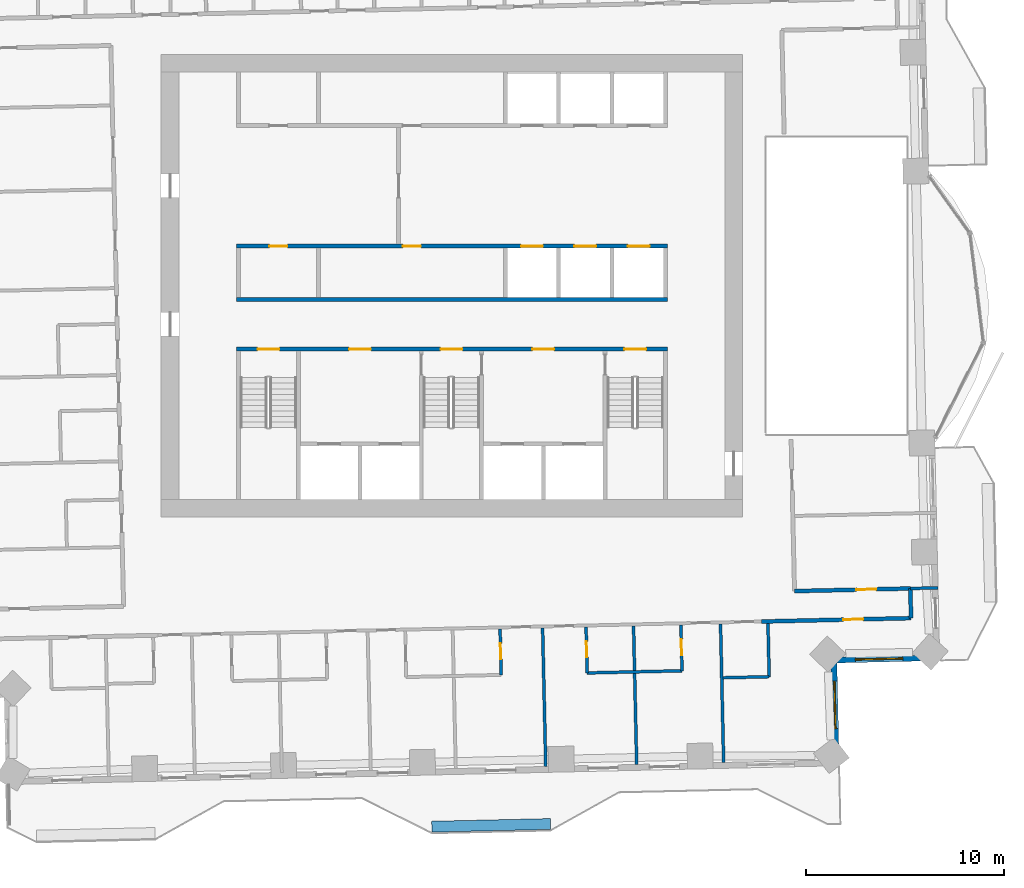
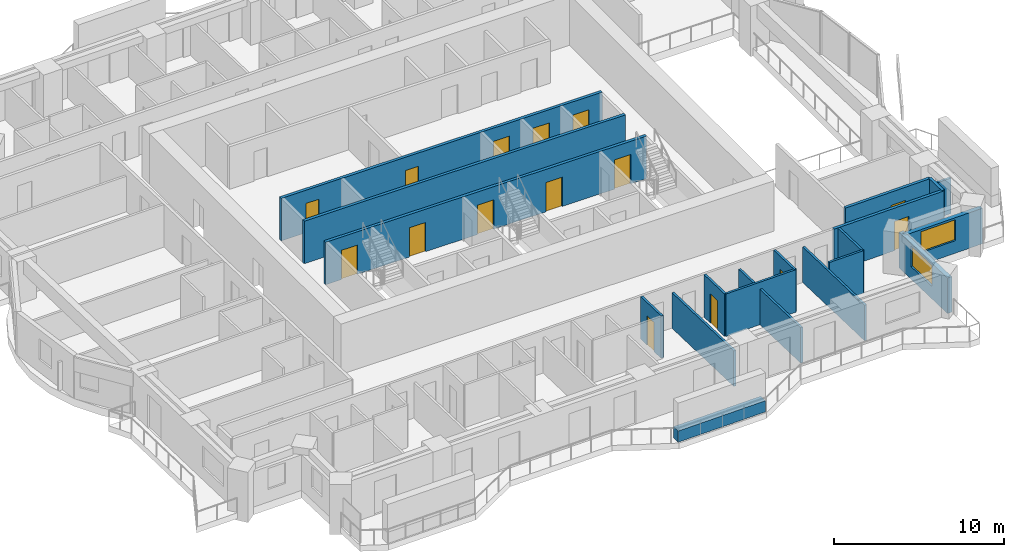
# One storey, part 8 of 16: 19 walls, 15 doors, 2 windows, 17 openings.
"""IFC4 building model written with IfcOpenShell, lengths in metres."""

from ifc_helpers import new_model, si_unit, direction, frame, frame_2d, origin, place, context, subcontext, project, spatial, rectangle, extrude, material, layer, layer_set, type_object, element, fill, save


model = new_model("IFC4")

# Units and contexts
model_context = context("Model", 3, precision=1e-05, world=origin(), true_north=direction((0.0, 1.0)))
body_context = subcontext(model_context, "Body", "Model", "MODEL_VIEW")
ifc_project = project(units=[si_unit("LENGTHUNIT", "METRE"), si_unit("AREAUNIT", "SQUARE_METRE"), si_unit("VOLUMEUNIT", "CUBIC_METRE"), si_unit("PLANEANGLEUNIT", "RADIAN"), si_unit("MASSUNIT", "GRAM", prefix="KILO")], contexts=[model_context])

# Site, building, storey
site_placement = place(None, origin())
site = spatial("IfcSite", under=ifc_project, at=site_placement, CompositionType="ELEMENT")
building_placement = place(site_placement, origin())
building = spatial("IfcBuilding", under=site, at=building_placement, Name="Mangrove Gate Tower", CompositionType="ELEMENT")
storey_placement = place(building_placement, frame((0.0, 0.0, 144.5)))
storey = spatial("IfcBuildingStorey", under=building, at=storey_placement, Name="L36", CompositionType="ELEMENT", Elevation=144.5)

# Wall
ifc_material_1 = material(Name="Concrete C70/85", Category="concrete")
ifc_layer_1 = layer(ifc_material_1, 0.199951171875)
ifc_layer_set_1 = layer_set([ifc_layer_1], Name="Core shaft wall 200 C70/85")
wall_type_1 = type_object("IfcWallType", Name="Core shaft wall 200 C70/85", PredefinedType="SHEAR", material=ifc_layer_set_1)
wall_1_placement = place(storey_placement, frame((-10.89990234375, -0.699951171875, 0.0), z_axis=(0.0, 0.0, 1.0), x_axis=(1.0, 0.0, 0.0)))
element("IfcWall", 1, at=wall_1_placement, inside=storey, type_object=wall_type_1, Name="WALL-L36-CORE-6", PredefinedType="SHEAR", context=body_context, shape_type="SweptSolid", body=[
    extrude(rectangle(XDim=21.7998046875, YDim=0.199951171875, at=frame_2d((10.89990234375, 0.0))), origin(), (0.0, 0.0, 1.0), 3.050048828125),
])

# Wall, openings, doors
wall_2_placement = place(storey_placement, frame((-10.89990234375, 2.0, 0.0), z_axis=(0.0, 0.0, 1.0), x_axis=(1.0, 0.0, 0.0)))
wall_2 = element("IfcWall", 2, at=wall_2_placement, inside=storey, type_object=wall_type_1, Name="WALL-L36-CORE-7", PredefinedType="SHEAR", context=body_context, shape_type="SweptSolid", body=[
    extrude(rectangle(XDim=21.7998046875, YDim=0.199951171875, at=frame_2d((10.89990234375, 0.0))), origin(), (0.0, 0.0, 1.0), 3.050048828125),
])
opening_1_placement = place(wall_2_placement, frame((14.39990234375, 0.0, 0.0)))
opening_1 = element("IfcOpeningElement", 3, at=opening_1_placement, cuts=wall_2, Name="Opening LD", PredefinedType="OPENING", context=body_context, shape_type="SweptSolid", body=[
    extrude(rectangle(XDim=1.10009765625, YDim=2.10009765625, at=frame_2d((0.550048828125, 1.050048828125))), frame((0.0, 0.10986328125, 0.0), z_axis=(0.0, -1.0, 0.0), x_axis=(1.0, 0.0, 0.0)), (0.0, 0.0, 1.0), 0.219970703125),
])
opening_2_placement = place(wall_2_placement, frame((17.10009765625, 0.0, 0.0)))
opening_2 = element("IfcOpeningElement", 4, at=opening_2_placement, cuts=wall_2, Name="Opening LD", PredefinedType="OPENING", context=body_context, shape_type="SweptSolid", body=[
    extrude(rectangle(XDim=1.10009765625, YDim=2.10009765625, at=frame_2d((0.550048828125, 1.050048828125))), frame((0.0, 0.10986328125, 0.0), z_axis=(0.0, -1.0, 0.0), x_axis=(1.0, 0.0, 0.0)), (0.0, 0.0, 1.0), 0.219970703125),
])
opening_3_placement = place(wall_2_placement, frame((19.800048828125, 0.0, 0.0)))
opening_3 = element("IfcOpeningElement", 5, at=opening_3_placement, cuts=wall_2, Name="Opening LD", PredefinedType="OPENING", context=body_context, shape_type="SweptSolid", body=[
    extrude(rectangle(XDim=1.10009765625, YDim=2.10009765625, at=frame_2d((0.550048828125, 1.050048828125))), frame((0.0, 0.10986328125, 0.0), z_axis=(0.0, -1.0, 0.0), x_axis=(1.0, 0.0, 0.0)), (0.0, 0.0, 1.0), 0.219970703125),
])
opening_4_placement = place(wall_2_placement, frame((1.675048828125, 0.0, 0.0)))
opening_4 = element("IfcOpeningElement", 6, at=opening_4_placement, cuts=wall_2, Name="Opening KD", PredefinedType="OPENING", context=body_context, shape_type="SweptSolid", body=[
    extrude(rectangle(XDim=0.89990234375, YDim=2.10009765625, at=frame_2d((0.449951171875, 1.050048828125))), frame((0.0, 0.10986328125, 0.0), z_axis=(0.0, -1.0, 0.0), x_axis=(1.0, 0.0, 0.0)), (0.0, 0.0, 1.0), 0.219970703125),
])
opening_5_placement = place(wall_2_placement, frame((8.425048828125, 0.0, 0.0)))
opening_5 = element("IfcOpeningElement", 7, at=opening_5_placement, cuts=wall_2, Name="Opening RD", PredefinedType="OPENING", context=body_context, shape_type="SweptSolid", body=[
    extrude(rectangle(XDim=0.89990234375, YDim=2.10009765625, at=frame_2d((0.449951171875, 1.050048828125))), frame((0.0, 0.10986328125, 0.0), z_axis=(0.0, -1.0, 0.0), x_axis=(1.0, 0.0, 0.0)), (0.0, 0.0, 1.0), 0.219970703125),
])
ifc_material_2 = material(Name="Fire-rated steel door set", Category="steel")
door_type_1 = type_object("IfcDoorType", Name="Core room door FD30S 900x2100", OperationType="SINGLE_SWING_RIGHT", PredefinedType="DOOR", material=ifc_material_2)
door_1_placement = place(opening_4_placement, origin())
door_1 = element("IfcDoor", 8, at=door_1_placement, inside=storey, type_object=door_type_1, Name="Core room door Refuse store", OperationType="SINGLE_SWING_RIGHT", OverallHeight=2.10009765625, OverallWidth=0.89990234375, PredefinedType="DOOR", context=body_context, shape_type="SweptSolid", body=[
    extrude(rectangle(XDim=0.89990234375, YDim=2.10009765625, at=frame_2d((0.449951171875, 1.050048828125))), frame((0.0, 0.02490234375, 0.0), z_axis=(0.0, -1.0, 0.0), x_axis=(1.0, 0.0, 0.0)), (0.0, 0.0, 1.0), 0.050048828125),
])
fill(opening_4, door_1)
ifc_material_3 = material(Name="Stainless steel 316", Category="steel")
door_type_2 = type_object("IfcDoorType", Name="Lift landing door 1100x2100", OperationType="SLIDING_TO_LEFT", PredefinedType="DOOR", material=ifc_material_3)
door_2_placement = place(opening_1_placement, origin())
door_2 = element("IfcDoor", 9, at=door_2_placement, inside=storey, type_object=door_type_2, Name="Landing door LD M01", OperationType="SLIDING_TO_LEFT", OverallHeight=2.10009765625, OverallWidth=1.10009765625, PredefinedType="DOOR", context=body_context, shape_type="SweptSolid", body=[
    extrude(rectangle(XDim=1.10009765625, YDim=2.10009765625, at=frame_2d((0.550048828125, 1.050048828125))), frame((0.0, 0.02490234375, 0.0), z_axis=(0.0, -1.0, 0.0), x_axis=(1.0, 0.0, 0.0)), (0.0, 0.0, 1.0), 0.050048828125),
])
fill(opening_1, door_2)
door_3_placement = place(opening_2_placement, origin())
door_3 = element("IfcDoor", 10, at=door_3_placement, inside=storey, type_object=door_type_2, Name="Landing door LD M02", OperationType="SLIDING_TO_LEFT", OverallHeight=2.10009765625, OverallWidth=1.10009765625, PredefinedType="DOOR", context=body_context, shape_type="SweptSolid", body=[
    extrude(rectangle(XDim=1.10009765625, YDim=2.10009765625, at=frame_2d((0.550048828125, 1.050048828125))), frame((0.0, 0.02490234375, 0.0), z_axis=(0.0, -1.0, 0.0), x_axis=(1.0, 0.0, 0.0)), (0.0, 0.0, 1.0), 0.050048828125),
])
fill(opening_2, door_3)
door_4_placement = place(opening_3_placement, origin())
door_4 = element("IfcDoor", 11, at=door_4_placement, inside=storey, type_object=door_type_2, Name="Landing door LD M03", OperationType="SLIDING_TO_LEFT", OverallHeight=2.10009765625, OverallWidth=1.10009765625, PredefinedType="DOOR", context=body_context, shape_type="SweptSolid", body=[
    extrude(rectangle(XDim=1.10009765625, YDim=2.10009765625, at=frame_2d((0.550048828125, 1.050048828125))), frame((0.0, 0.02490234375, 0.0), z_axis=(0.0, -1.0, 0.0), x_axis=(1.0, 0.0, 0.0)), (0.0, 0.0, 1.0), 0.050048828125),
])
fill(opening_3, door_4)
ifc_material_4 = material(Name="Fire-rated steel door set", Category="steel")
door_type_3 = type_object("IfcDoorType", Name="Riser door FD30S 900x2100", OperationType="SINGLE_SWING_LEFT", PredefinedType="DOOR", material=ifc_material_4)
door_5_placement = place(opening_5_placement, origin())
door_5 = element("IfcDoor", 12, at=door_5_placement, inside=storey, type_object=door_type_3, Name="Riser door Electrical room", OperationType="SINGLE_SWING_LEFT", OverallHeight=2.10009765625, OverallWidth=0.89990234375, PredefinedType="DOOR", context=body_context, shape_type="SweptSolid", body=[
    extrude(rectangle(XDim=0.89990234375, YDim=2.10009765625, at=frame_2d((0.449951171875, 1.050048828125))), frame((0.0, 0.02490234375, 0.0), z_axis=(0.0, -1.0, 0.0), x_axis=(1.0, 0.0, 0.0)), (0.0, 0.0, 1.0), 0.050048828125),
])
fill(opening_5, door_5)

ifc_material_5 = material(Name="Concrete C70/85", Category="concrete")
ifc_layer_2 = layer(ifc_material_5, 0.199951171875)
ifc_layer_set_2 = layer_set([ifc_layer_2], Name="Core stair wall 200 C70/85")
wall_type_2 = type_object("IfcWallType", Name="Core stair wall 200 C70/85", PredefinedType="SHEAR", material=ifc_layer_set_2)
wall_3_placement = place(storey_placement, frame((-10.89990234375, -3.199951171875, 0.0), z_axis=(0.0, 0.0, 1.0), x_axis=(1.0, 0.0, 0.0)))
wall_3 = element("IfcWall", 13, at=wall_3_placement, inside=storey, type_object=wall_type_2, Name="WALL-L36-CORE-5", PredefinedType="SHEAR", context=body_context, shape_type="SweptSolid", body=[
    extrude(rectangle(XDim=21.7998046875, YDim=0.199951171875, at=frame_2d((10.89990234375, 0.0))), origin(), (0.0, 0.0, 1.0), 3.050048828125),
])
opening_6_placement = place(wall_3_placement, frame((1.074951171875, 0.0, 0.0)))
opening_6 = element("IfcOpeningElement", 14, at=opening_6_placement, cuts=wall_3, Name="Opening STD11", PredefinedType="OPENING", context=body_context, shape_type="SweptSolid", body=[
    extrude(rectangle(XDim=1.10009765625, YDim=2.10009765625, at=frame_2d((0.550048828125, 1.050048828125))), frame((0.0, 0.10986328125, 0.0), z_axis=(0.0, -1.0, 0.0), x_axis=(1.0, 0.0, 0.0)), (0.0, 0.0, 1.0), 0.219970703125),
])
opening_7_placement = place(wall_3_placement, frame((10.324951171875, 0.0, 0.0)))
opening_7 = element("IfcOpeningElement", 15, at=opening_7_placement, cuts=wall_3, Name="Opening STD11", PredefinedType="OPENING", context=body_context, shape_type="SweptSolid", body=[
    extrude(rectangle(XDim=1.10009765625, YDim=2.10009765625, at=frame_2d((0.550048828125, 1.050048828125))), frame((0.0, 0.10986328125, 0.0), z_axis=(0.0, -1.0, 0.0), x_axis=(1.0, 0.0, 0.0)), (0.0, 0.0, 1.0), 0.219970703125),
])
opening_8_placement = place(wall_3_placement, frame((19.625, 0.0, 0.0)))
opening_8 = element("IfcOpeningElement", 16, at=opening_8_placement, cuts=wall_3, Name="Opening STD11", PredefinedType="OPENING", context=body_context, shape_type="SweptSolid", body=[
    extrude(rectangle(XDim=1.10009765625, YDim=2.10009765625, at=frame_2d((0.550048828125, 1.050048828125))), frame((0.0, 0.10986328125, 0.0), z_axis=(0.0, -1.0, 0.0), x_axis=(1.0, 0.0, 0.0)), (0.0, 0.0, 1.0), 0.219970703125),
])
opening_9_placement = place(wall_3_placement, frame((5.699951171875, 0.0, 0.0)))
opening_9 = element("IfcOpeningElement", 17, at=opening_9_placement, cuts=wall_3, Name="Opening FL", PredefinedType="OPENING", context=body_context, shape_type="SweptSolid", body=[
    extrude(rectangle(XDim=1.10009765625, YDim=2.10009765625, at=frame_2d((0.550048828125, 1.050048828125))), frame((0.0, 0.10986328125, 0.0), z_axis=(0.0, -1.0, 0.0), x_axis=(1.0, 0.0, 0.0)), (0.0, 0.0, 1.0), 0.219970703125),
])
opening_10_placement = place(wall_3_placement, frame((14.97509765625, 0.0, 0.0)))
opening_10 = element("IfcOpeningElement", 18, at=opening_10_placement, cuts=wall_3, Name="Opening FL", PredefinedType="OPENING", context=body_context, shape_type="SweptSolid", body=[
    extrude(rectangle(XDim=1.10009765625, YDim=2.10009765625, at=frame_2d((0.550048828125, 1.050048828125))), frame((0.0, 0.10986328125, 0.0), z_axis=(0.0, -1.0, 0.0), x_axis=(1.0, 0.0, 0.0)), (0.0, 0.0, 1.0), 0.219970703125),
])
ifc_material_6 = material(Name="Fire-rated steel door set", Category="steel")
door_type_4 = type_object("IfcDoorType", Name="Lobby door FD60 1100x2100", OperationType="SINGLE_SWING_LEFT", PredefinedType="DOOR", material=ifc_material_6)
door_6_placement = place(opening_9_placement, origin())
door_6 = element("IfcDoor", 19, at=door_6_placement, inside=storey, type_object=door_type_4, Name="Lobby door service lobby", OperationType="SINGLE_SWING_LEFT", OverallHeight=2.10009765625, OverallWidth=1.10009765625, PredefinedType="DOOR", context=body_context, shape_type="SweptSolid", body=[
    extrude(rectangle(XDim=1.10009765625, YDim=2.10009765625, at=frame_2d((0.550048828125, 1.050048828125))), frame((0.0, 0.02490234375, 0.0), z_axis=(0.0, -1.0, 0.0), x_axis=(1.0, 0.0, 0.0)), (0.0, 0.0, 1.0), 0.050048828125),
])
fill(opening_9, door_6)
door_7_placement = place(opening_10_placement, origin())
door_7 = element("IfcDoor", 20, at=door_7_placement, inside=storey, type_object=door_type_4, Name="Lobby door fire-fighting lobby", OperationType="SINGLE_SWING_LEFT", OverallHeight=2.10009765625, OverallWidth=1.10009765625, PredefinedType="DOOR", context=body_context, shape_type="SweptSolid", body=[
    extrude(rectangle(XDim=1.10009765625, YDim=2.10009765625, at=frame_2d((0.550048828125, 1.050048828125))), frame((0.0, 0.02490234375, 0.0), z_axis=(0.0, -1.0, 0.0), x_axis=(1.0, 0.0, 0.0)), (0.0, 0.0, 1.0), 0.050048828125),
])
fill(opening_10, door_7)
ifc_material_7 = material(Name="Fire-rated steel door set", Category="steel")
door_type_5 = type_object("IfcDoorType", Name="Stair door FD60 1100x2100", OperationType="SINGLE_SWING_RIGHT", PredefinedType="DOOR", material=ifc_material_7)
door_8_placement = place(opening_6_placement, origin())
door_8 = element("IfcDoor", 21, at=door_8_placement, inside=storey, type_object=door_type_5, Name="Stair door Stair 1", OperationType="SINGLE_SWING_RIGHT", OverallHeight=2.10009765625, OverallWidth=1.10009765625, PredefinedType="DOOR", context=body_context, shape_type="SweptSolid", body=[
    extrude(rectangle(XDim=1.10009765625, YDim=2.10009765625, at=frame_2d((0.550048828125, 1.050048828125))), frame((0.0, 0.02490234375, 0.0), z_axis=(0.0, -1.0, 0.0), x_axis=(1.0, 0.0, 0.0)), (0.0, 0.0, 1.0), 0.050048828125),
])
fill(opening_6, door_8)
door_9_placement = place(opening_7_placement, origin())
door_9 = element("IfcDoor", 22, at=door_9_placement, inside=storey, type_object=door_type_5, Name="Stair door Stair 2", OperationType="SINGLE_SWING_RIGHT", OverallHeight=2.10009765625, OverallWidth=1.10009765625, PredefinedType="DOOR", context=body_context, shape_type="SweptSolid", body=[
    extrude(rectangle(XDim=1.10009765625, YDim=2.10009765625, at=frame_2d((0.550048828125, 1.050048828125))), frame((0.0, 0.02490234375, 0.0), z_axis=(0.0, -1.0, 0.0), x_axis=(1.0, 0.0, 0.0)), (0.0, 0.0, 1.0), 0.050048828125),
])
fill(opening_7, door_9)
door_10_placement = place(opening_8_placement, origin())
door_10 = element("IfcDoor", 23, at=door_10_placement, inside=storey, type_object=door_type_5, Name="Stair door Stair 3", OperationType="SINGLE_SWING_RIGHT", OverallHeight=2.10009765625, OverallWidth=1.10009765625, PredefinedType="DOOR", context=body_context, shape_type="SweptSolid", body=[
    extrude(rectangle(XDim=1.10009765625, YDim=2.10009765625, at=frame_2d((0.550048828125, 1.050048828125))), frame((0.0, 0.02490234375, 0.0), z_axis=(0.0, -1.0, 0.0), x_axis=(1.0, 0.0, 0.0)), (0.0, 0.0, 1.0), 0.050048828125),
])
fill(opening_8, door_10)

# Wall
ifc_material_8 = material(Name="Gypsum board on steel stud, EI 60", Category="steel")
ifc_layer_3 = layer(ifc_material_8, 0.199951171875)
ifc_layer_set_3 = layer_set([ifc_layer_3], Name="Corridor wall EI 60")
wall_type_3 = type_object("IfcWallType", Name="Corridor wall EI 60", PredefinedType="PARTITIONING", material=ifc_layer_set_3)
wall_4_placement = place(storey_placement, frame((23.219970703125, -16.81494140625, 0.0), z_axis=(0.0, 0.0, 1.0), x_axis=(-0.022617910375, 0.999744182344, 0.0)))
element("IfcWall", 24, at=wall_4_placement, inside=storey, type_object=wall_type_3, Name="WALL-L36-025", PredefinedType="PARTITIONING", context=body_context, shape_type="SweptSolid", body=[
    extrude(rectangle(XDim=1.50048828125, YDim=0.199951171875, at=frame_2d((0.750244140625, 0.0))), origin(), (0.0, 0.0, 1.0), 3.050048828125),
])

# Wall, opening, door
wall_5_placement = place(storey_placement, frame((15.657958984375, -16.98193359375, 0.0), z_axis=(0.0, 0.0, 1.0), x_axis=(0.99974485859, 0.022587999516, 0.0)))
wall_5 = element("IfcWall", 25, at=wall_5_placement, inside=storey, type_object=wall_type_3, Name="WALL-L36-028", PredefinedType="PARTITIONING", context=body_context, shape_type="SweptSolid", body=[
    extrude(rectangle(XDim=7.56591796875, YDim=0.199951171875, at=frame_2d((3.782958984375, 0.0))), origin(), (0.0, 0.0, 1.0), 3.050048828125),
])
opening_11_placement = place(wall_5_placement, frame((4.14404296875, 0.0, 0.0)))
opening_11 = element("IfcOpeningElement", 26, at=opening_11_placement, cuts=wall_5, Name="Opening AD", PredefinedType="OPENING", context=body_context, shape_type="SweptSolid", body=[
    extrude(rectangle(XDim=1.0, YDim=2.10009765625, at=frame_2d((0.5, 1.050048828125))), frame((0.0, 0.10986328125, 0.0), z_axis=(0.0, -1.0, 0.0), x_axis=(1.0, 0.0, 0.0)), (0.0, 0.0, 1.0), 0.219970703125),
])
ifc_material_9 = material(Name="Timber door leaf", Category="wood")
door_type_6 = type_object("IfcDoorType", Name="Amenity door 1000", OperationType="SINGLE_SWING_LEFT", PredefinedType="DOOR", material=ifc_material_9)
door_11_placement = place(opening_11_placement, origin())
door_11 = element("IfcDoor", 27, at=door_11_placement, inside=storey, type_object=door_type_6, Name="DOOR-L36-GAM-c3a", OperationType="SINGLE_SWING_RIGHT", OverallHeight=2.10009765625, OverallWidth=1.0, PredefinedType="DOOR", context=body_context, shape_type="SweptSolid", body=[
    extrude(rectangle(XDim=1.0, YDim=2.10009765625, at=frame_2d((0.5, 1.050048828125))), frame((0.0, 0.02490234375, 0.0), z_axis=(0.0, -1.0, 0.0), x_axis=(1.0, 0.0, 0.0)), (0.0, 0.0, 1.0), 0.050048828125),
])
fill(opening_11, door_11)

wall_6_placement = place(storey_placement, frame((17.322998046875, -15.444091796875, 0.0), z_axis=(0.0, 0.0, 1.0), x_axis=(0.999742758565, 0.022680756085, 0.0)))
wall_6 = element("IfcWall", 28, at=wall_6_placement, inside=storey, type_object=wall_type_3, Name="WALL-L36-033", PredefinedType="PARTITIONING", context=body_context, shape_type="SweptSolid", body=[
    extrude(rectangle(XDim=5.866455078125, YDim=0.199951171875, at=frame_2d((2.93310546875, 0.0))), origin(), (0.0, 0.0, 1.0), 3.050048828125),
])
opening_12_placement = place(wall_6_placement, frame((3.134033203125, 0.0, 0.0)))
opening_12 = element("IfcOpeningElement", 29, at=opening_12_placement, cuts=wall_6, Name="Opening AD", PredefinedType="OPENING", context=body_context, shape_type="SweptSolid", body=[
    extrude(rectangle(XDim=1.0, YDim=2.10009765625, at=frame_2d((0.5, 1.050048828125))), frame((0.0, 0.10986328125, 0.0), z_axis=(0.0, -1.0, 0.0), x_axis=(1.0, 0.0, 0.0)), (0.0, 0.0, 1.0), 0.219970703125),
])
door_12_placement = place(opening_12_placement, origin())
door_12 = element("IfcDoor", 30, at=door_12_placement, inside=storey, type_object=door_type_6, Name="DOOR-L36-KIT-c3a", OperationType="SINGLE_SWING_LEFT", OverallHeight=2.10009765625, OverallWidth=1.0, PredefinedType="DOOR", context=body_context, shape_type="SweptSolid", body=[
    extrude(rectangle(XDim=1.0, YDim=2.10009765625, at=frame_2d((0.5, 1.050048828125))), frame((0.0, 0.02490234375, 0.0), z_axis=(0.0, -1.0, 0.0), x_axis=(1.0, 0.0, 0.0)), (0.0, 0.0, 1.0), 0.050048828125),
])
fill(opening_12, door_12)

# Wall, opening, window
ifc_material_10 = material(Name="Limestone", Category="masonry")
ifc_layer_4 = layer(ifc_material_10, 0.0400390625, Name="Limestone cladding")
ifc_material_11 = material(Name="Ventilated air gap")
ifc_layer_5 = layer(ifc_material_11, 0.0400390625, Name="Ventilated cavity")
ifc_material_12 = material(Name="Mineral wool insulation")
ifc_layer_6 = layer(ifc_material_12, 0.06005859375, Name="Insulation")
ifc_material_13 = material(Name="Breather membrane")
ifc_layer_7 = layer(ifc_material_13, 0.001953125, Name="Breather membrane")
ifc_material_14 = material(Name="Concrete C20/25 blockwork", Category="masonry")
ifc_layer_8 = layer(ifc_material_14, 0.14990234375, Name="Blockwork backing wall")
ifc_material_15 = material(Name="Gypsum plaster")
ifc_layer_9 = layer(ifc_material_15, 0.008056640625, Name="Internal plaster")
ifc_layer_set_4 = layer_set([ifc_layer_4, ifc_layer_5, ifc_layer_6, ifc_layer_7, ifc_layer_8, ifc_layer_9], Name="External wall 300 limestone cladding")
wall_type_4 = type_object("IfcWallType", Name="External wall 300 limestone cladding", PredefinedType="SOLIDWALL", material=ifc_layer_set_4)
wall_7_placement = place(storey_placement, frame((19.43701171875, -24.12890625, 0.0), z_axis=(0.0, 0.0, 1.0), x_axis=(-0.022565008749, 0.999745377774, 0.0)))
wall_7 = element("IfcWall", 31, at=wall_7_placement, inside=storey, type_object=wall_type_4, Name="WALL-L36-E14s1", PredefinedType="SOLIDWALL", context=body_context, shape_type="SweptSolid", body=[
    extrude(rectangle(XDim=5.496337890625, YDim=0.300048828125, at=frame_2d((2.748046875, 0.0))), origin(), (0.0, 0.0, 1.0), 2.550048828125),
])
opening_13_placement = place(wall_7_placement, frame((1.736083984375, 0.0, 0.89990234375)))
opening_13 = element("IfcOpeningElement", 32, at=opening_13_placement, cuts=wall_7, Name="Opening W2", PredefinedType="OPENING", context=body_context, shape_type="SweptSolid", body=[
    extrude(rectangle(XDim=2.39990234375, YDim=1.5, at=frame_2d((1.199951171875, 0.75))), frame((0.0, 0.159912109375, 0.0), z_axis=(0.0, -1.0, 0.0), x_axis=(1.0, 0.0, 0.0)), (0.0, 0.0, 1.0), 0.320068359375),
])
ifc_material_16 = material(Name="Aluminium frame with double-glazed low-e glass", Category="aluminium")
window_type = type_object("IfcWindowType", Name="Corner room window 2400x1500", PartitioningType="DOUBLE_PANEL_VERTICAL", PredefinedType="WINDOW", material=ifc_material_16)
window_1_placement = place(opening_13_placement, origin())
window_1 = element("IfcWindow", 33, at=window_1_placement, inside=storey, type_object=window_type, Name="WIN-L36-E14-1", OverallHeight=1.5, OverallWidth=2.39990234375, PartitioningType="DOUBLE_PANEL_VERTICAL", PredefinedType="WINDOW", context=body_context, shape_type="SweptSolid", body=[
    extrude(rectangle(XDim=2.39990234375, YDim=1.5, at=frame_2d((1.199951171875, 0.75))), frame((0.0, 0.030029296875, 0.0), z_axis=(0.0, -1.0, 0.0), x_axis=(1.0, 0.0, 0.0)), (0.0, 0.0, 1.0), 0.06005859375),
])
fill(opening_13, window_1)

wall_8_placement = place(storey_placement, frame((19.319091796875, -18.929931640625, 0.0), z_axis=(0.0, 0.0, 1.0), x_axis=(0.999742379723, 0.022697448881, 0.0)))
wall_8 = element("IfcWall", 34, at=wall_8_placement, inside=storey, type_object=wall_type_4, Name="WALL-L36-S15s1", PredefinedType="SOLIDWALL", context=body_context, shape_type="SweptSolid", body=[
    extrude(rectangle(XDim=5.324462890625, YDim=0.300048828125, at=frame_2d((2.662109375, 0.0))), origin(), (0.0, 0.0, 1.0), 2.550048828125),
])
opening_14_placement = place(wall_8_placement, frame((1.083984375, 0.0, 0.89990234375)))
opening_14 = element("IfcOpeningElement", 35, at=opening_14_placement, cuts=wall_8, Name="Opening W2", PredefinedType="OPENING", context=body_context, shape_type="SweptSolid", body=[
    extrude(rectangle(XDim=2.39990234375, YDim=1.5, at=frame_2d((1.199951171875, 0.75))), frame((0.0, 0.159912109375, 0.0), z_axis=(0.0, -1.0, 0.0), x_axis=(1.0, 0.0, 0.0)), (0.0, 0.0, 1.0), 0.320068359375),
])
window_2_placement = place(opening_14_placement, origin())
window_2 = element("IfcWindow", 36, at=window_2_placement, inside=storey, type_object=window_type, Name="WIN-L36-S15-1", OverallHeight=1.5, OverallWidth=2.39990234375, PartitioningType="DOUBLE_PANEL_VERTICAL", PredefinedType="WINDOW", context=body_context, shape_type="SweptSolid", body=[
    extrude(rectangle(XDim=2.39990234375, YDim=1.5, at=frame_2d((1.199951171875, 0.75))), frame((0.0, 0.030029296875, 0.0), z_axis=(0.0, -1.0, 0.0), x_axis=(1.0, 0.0, 0.0)), (0.0, 0.0, 1.0), 0.06005859375),
])
fill(opening_14, window_2)

# Walls
ifc_material_17 = material(Name="Gypsum board on steel stud, EI 60", Category="steel")
ifc_layer_10 = layer(ifc_material_17, 0.14990234375)
ifc_layer_set_5 = layer_set([ifc_layer_10], Name="Party wall 150 EI 60")
wall_type_5 = type_object("IfcWallType", Name="Party wall 150 EI 60", PredefinedType="PARTITIONING", material=ifc_layer_set_5)
wall_9_placement = place(storey_placement, frame((4.74609375, -24.31201171875, 0.0), z_axis=(0.0, 0.0, 1.0), x_axis=(-0.022737248567, 0.999741475346, 0.0)))
element("IfcWall", 37, at=wall_9_placement, inside=storey, type_object=wall_type_5, Name="WALL-L36-006", PredefinedType="PARTITIONING", context=body_context, shape_type="SweptSolid", body=[
    extrude(rectangle(XDim=7.000732421875, YDim=0.14990234375, at=frame_2d((3.50048828125, 0.0))), origin(), (0.0, 0.0, 1.0), 2.550048828125),
])
for number, where, z_axis, x_axis, name in (
    (38, (9.344970703125, -24.2080078125, 0.0), (0.0, 0.0, 1.0), (-0.022699227919, 0.999742339331, 0.0), "WALL-L36-007"),
    (39, (13.742919921875, -24.10791015625, 0.0), (0.0, 0.0, 1.0), (-0.02255982614, 0.999745494736, 0.0), "WALL-L36-008"),
):
    element("IfcWall", number, at=place(storey_placement, frame(where, z_axis=z_axis, x_axis=x_axis)), inside=storey, type_object=wall_type_5, Name=name, PredefinedType="PARTITIONING", context=body_context, shape_type="SweptSolid", body=[
        extrude(rectangle(XDim=7.001708984375, YDim=0.14990234375, at=frame_2d((3.5009765625, 0.0))), origin(), (0.0, 0.0, 1.0), 2.550048828125),
    ])
wall_10_placement = place(storey_placement, frame((16.0458984375, -19.778076171875, 0.0), z_axis=(0.0, 0.0, 1.0), x_axis=(-0.022518033722, 0.999746436932, 0.0)))
element("IfcWall", 40, at=wall_10_placement, inside=storey, type_object=wall_type_5, Name="WALL-L36-009", PredefinedType="PARTITIONING", context=body_context, shape_type="SweptSolid", body=[
    extrude(rectangle(XDim=2.69970703125, YDim=0.14990234375, at=frame_2d((1.349853515625, 0.0))), origin(), (0.0, 0.0, 1.0), 3.050048828125),
])
wall_11_placement = place(storey_placement, frame((13.718994140625, -19.826904296875, 0.0), z_axis=(0.0, 0.0, 1.0), x_axis=(0.999740478815, 0.022781023197, 0.0)))
element("IfcWall", 41, at=wall_11_placement, inside=storey, type_object=wall_type_5, Name="WALL-L36-010", PredefinedType="PARTITIONING", context=body_context, shape_type="SweptSolid", body=[
    extrude(rectangle(XDim=2.325439453125, YDim=0.14990234375, at=frame_2d((1.16259765625, 0.0))), origin(), (0.0, 0.0, 1.0), 3.050048828125),
])

# Wall, opening, door
wall_12_placement = place(storey_placement, frame((2.489990234375, -19.68603515625, 0.0), z_axis=(0.0, 0.0, 1.0), x_axis=(-0.022781023197, 0.999740478815, 0.0)))
wall_12 = element("IfcWall", 42, at=wall_12_placement, inside=storey, type_object=wall_type_5, Name="WALL-L36-017", PredefinedType="PARTITIONING", context=body_context, shape_type="SweptSolid", body=[
    extrude(rectangle(XDim=2.325439453125, YDim=0.14990234375, at=frame_2d((1.16259765625, 0.0))), origin(), (0.0, 0.0, 1.0), 3.050048828125),
])
opening_15_placement = place(wall_12_placement, frame((0.800048828125, 0.0, 0.0)))
opening_15 = element("IfcOpeningElement", 43, at=opening_15_placement, cuts=wall_12, Name="Opening ED", PredefinedType="OPENING", context=body_context, shape_type="SweptSolid", body=[
    extrude(rectangle(XDim=0.800048828125, YDim=2.10009765625, at=frame_2d((0.39990234375, 1.050048828125))), frame((0.0, 0.0849609375, 0.0), z_axis=(0.0, -1.0, 0.0), x_axis=(1.0, 0.0, 0.0)), (0.0, 0.0, 1.0), 0.169921875),
])
ifc_material_18 = material(Name="Timber door leaf", Category="wood")
door_type_7 = type_object("IfcDoorType", Name="En-suite door 800", OperationType="SINGLE_SWING_LEFT", PredefinedType="DOOR", material=ifc_material_18)
door_13_placement = place(opening_15_placement, origin())
door_13 = element("IfcDoor", 44, at=door_13_placement, inside=storey, type_object=door_type_7, Name="DOOR-L36-ENS-c205", OperationType="SINGLE_SWING_LEFT", OverallHeight=2.10009765625, OverallWidth=0.800048828125, PredefinedType="DOOR", context=body_context, shape_type="SweptSolid", body=[
    extrude(rectangle(XDim=0.800048828125, YDim=2.10009765625, at=frame_2d((0.39990234375, 1.050048828125))), frame((0.0, 0.02490234375, 0.0), z_axis=(0.0, -1.0, 0.0), x_axis=(1.0, 0.0, 0.0)), (0.0, 0.0, 1.0), 0.050048828125),
])
fill(opening_15, door_13)

wall_13_placement = place(storey_placement, frame((6.839111328125, -19.5869140625, 0.0), z_axis=(0.0, 0.0, 1.0), x_axis=(-0.022895561926, 0.999737862264, 0.0)))
wall_13 = element("IfcWall", 45, at=wall_13_placement, inside=storey, type_object=wall_type_5, Name="WALL-L36-018", PredefinedType="PARTITIONING", context=body_context, shape_type="SweptSolid", body=[
    extrude(rectangle(XDim=2.324462890625, YDim=0.14990234375, at=frame_2d((1.162109375, 0.0))), origin(), (0.0, 0.0, 1.0), 3.050048828125),
])
opening_16_placement = place(wall_13_placement, frame((0.800048828125, 0.0, 0.0)))
opening_16 = element("IfcOpeningElement", 46, at=opening_16_placement, cuts=wall_13, Name="Opening ED", PredefinedType="OPENING", context=body_context, shape_type="SweptSolid", body=[
    extrude(rectangle(XDim=0.800048828125, YDim=2.10009765625, at=frame_2d((0.39990234375, 1.050048828125))), frame((0.0, 0.0849609375, 0.0), z_axis=(0.0, -1.0, 0.0), x_axis=(1.0, 0.0, 0.0)), (0.0, 0.0, 1.0), 0.169921875),
])
door_14_placement = place(opening_16_placement, origin())
door_14 = element("IfcDoor", 47, at=door_14_placement, inside=storey, type_object=door_type_7, Name="DOOR-L36-ENS-c206", OperationType="SINGLE_SWING_RIGHT", OverallHeight=2.10009765625, OverallWidth=0.800048828125, PredefinedType="DOOR", context=body_context, shape_type="SweptSolid", body=[
    extrude(rectangle(XDim=0.800048828125, YDim=2.10009765625, at=frame_2d((0.39990234375, 1.050048828125))), frame((0.0, 0.02490234375, 0.0), z_axis=(0.0, -1.0, 0.0), x_axis=(1.0, 0.0, 0.0)), (0.0, 0.0, 1.0), 0.050048828125),
])
fill(opening_16, door_14)

wall_14_placement = place(storey_placement, frame((11.637939453125, -19.47802734375, 0.0), z_axis=(0.0, 0.0, 1.0), x_axis=(-0.02279059109, 0.999740260747, 0.0)))
wall_14 = element("IfcWall", 48, at=wall_14_placement, inside=storey, type_object=wall_type_5, Name="WALL-L36-019", PredefinedType="PARTITIONING", context=body_context, shape_type="SweptSolid", body=[
    extrude(rectangle(XDim=2.324462890625, YDim=0.14990234375, at=frame_2d((1.162109375, 0.0))), origin(), (0.0, 0.0, 1.0), 3.050048828125),
])
opening_17_placement = place(wall_14_placement, frame((0.800048828125, 0.0, 0.0)))
opening_17 = element("IfcOpeningElement", 49, at=opening_17_placement, cuts=wall_14, Name="Opening ED", PredefinedType="OPENING", context=body_context, shape_type="SweptSolid", body=[
    extrude(rectangle(XDim=0.800048828125, YDim=2.10009765625, at=frame_2d((0.39990234375, 1.050048828125))), frame((0.0, 0.0849609375, 0.0), z_axis=(0.0, -1.0, 0.0), x_axis=(1.0, 0.0, 0.0)), (0.0, 0.0, 1.0), 0.169921875),
])
door_15_placement = place(opening_17_placement, origin())
door_15 = element("IfcDoor", 50, at=door_15_placement, inside=storey, type_object=door_type_7, Name="DOOR-L36-ENS-c307", OperationType="SINGLE_SWING_LEFT", OverallHeight=2.10009765625, OverallWidth=0.800048828125, PredefinedType="DOOR", context=body_context, shape_type="SweptSolid", body=[
    extrude(rectangle(XDim=0.800048828125, YDim=2.10009765625, at=frame_2d((0.39990234375, 1.050048828125))), frame((0.0, 0.02490234375, 0.0), z_axis=(0.0, -1.0, 0.0), x_axis=(1.0, 0.0, 0.0)), (0.0, 0.0, 1.0), 0.050048828125),
])
fill(opening_17, door_15)

# Walls
wall_15_placement = place(storey_placement, frame((6.8369140625, -19.5830078125, 0.0), z_axis=(0.0, 0.0, 1.0), x_axis=(0.999742701292, 0.022683280499, 0.0)))
element("IfcWall", 51, at=wall_15_placement, inside=storey, type_object=wall_type_5, Name="WALL-L36-023", PredefinedType="PARTITIONING", context=body_context, shape_type="SweptSolid", body=[
    extrude(rectangle(XDim=4.80029296875, YDim=0.14990234375, at=frame_2d((2.400146484375, 0.0))), origin(), (0.0, 0.0, 1.0), 3.050048828125),
])
wall_16_placement = place(storey_placement, frame((23.18408203125, -15.31103515625, 0.0), z_axis=(0.0, 0.0, 1.0), x_axis=(0.999740577356, 0.022776698371, 0.0)))
element("IfcWall", 52, at=wall_16_placement, inside=storey, type_object=wall_type_5, Name="WALL-L36-034", PredefinedType="PARTITIONING", context=body_context, shape_type="SweptSolid", body=[
    extrude(rectangle(XDim=1.404052734375, YDim=0.14990234375, at=frame_2d((0.7021484375, 0.0))), origin(), (0.0, 0.0, 1.0), 2.550048828125),
])
ifc_material_19 = material(Name="Concrete C32/40", Category="concrete")
ifc_layer_11 = layer(ifc_material_19, 0.199951171875, Name="Planter trough wall")
ifc_material_20 = material(Name="Bituminous waterproofing membrane")
ifc_layer_12 = layer(ifc_material_20, 0.0048828125, Name="Waterproofing")
ifc_material_21 = material(Name="Drainage board and gravel")
ifc_layer_13 = layer(ifc_material_21, 0.044921875, Name="Drainage layer")
ifc_material_22 = material(Name="Planting soil")
ifc_layer_14 = layer(ifc_material_22, 0.300048828125, Name="Growing medium")
ifc_layer_set_6 = layer_set([ifc_layer_11, ifc_layer_12, ifc_layer_13, ifc_layer_14], Name="Planter wall 550 C32/40")
wall_type_6 = type_object("IfcWallType", Name="Planter wall 550 C32/40", PredefinedType="USERDEFINED", material=ifc_layer_set_6)
wall_17_placement = place(storey_placement, frame((-1.01611328125, -27.35791015625, 0.0), z_axis=(0.0, 0.0, 1.0), x_axis=(0.999743094499, 0.022665943652, 0.0)))
element("IfcWall", 53, at=wall_17_placement, inside=storey, type_object=wall_type_6, Name="PLANTER L36 S1.1", ObjectType="PLANTER", PredefinedType="USERDEFINED", context=body_context, shape_type="SweptSolid", body=[
    extrude(rectangle(XDim=5.99951171875, YDim=0.550048828125, at=frame_2d((2.999755859375, 0.0))), origin(), (0.0, 0.0, 1.0), 0.800048828125),
])

save(model, "model.ifc")
